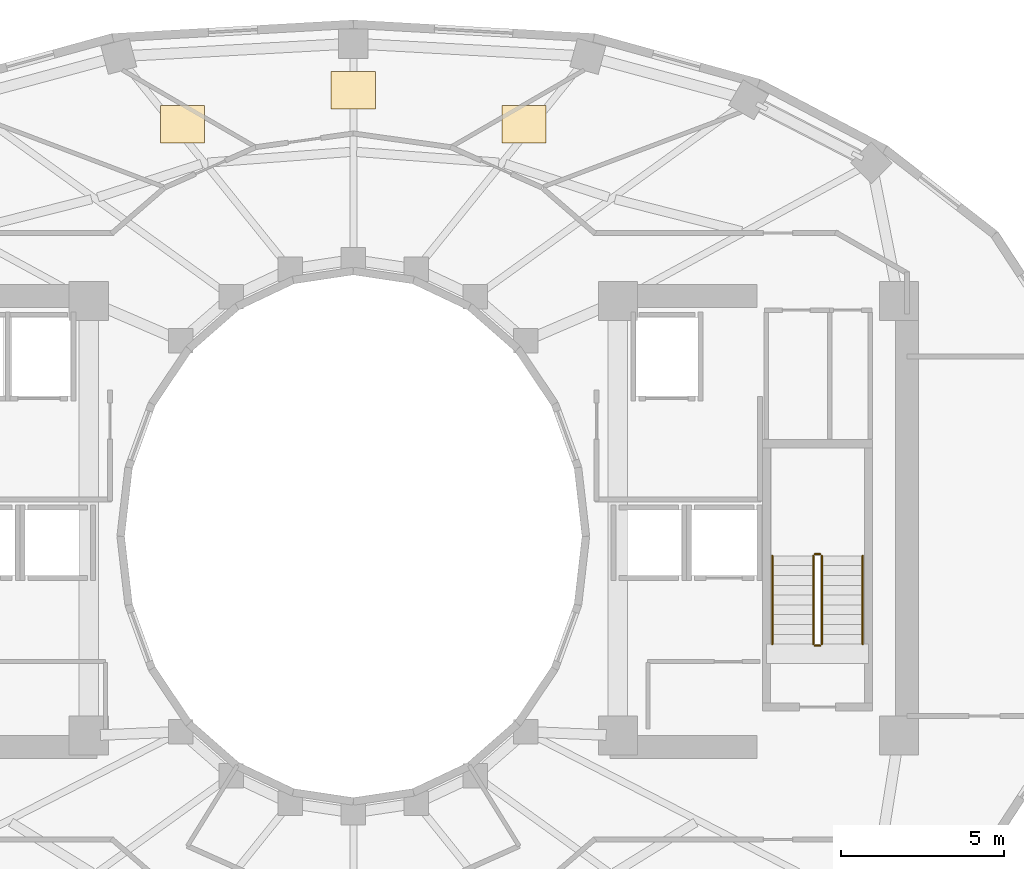
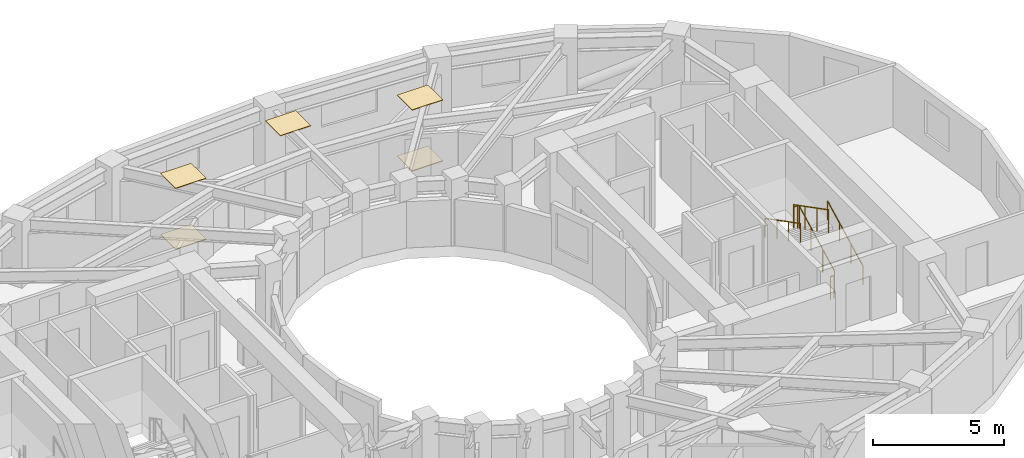
# One storey, part 9 of 9: 6 railings, 5 coverings.
"""IFC4 building model written with IfcOpenShell, lengths in metres."""

from ifc_helpers import new_model, si_unit, direction, frame, origin, origin_2d, place, context, subcontext, project, spatial, polyline, circle, outline, extrude, material, layer, layer_set, type_object, element, save


model = new_model("IFC4")

# Units and contexts
model_context = context("Model", 3, precision=1e-05, world=origin(), true_north=direction((0.0, 1.0)))
body_context = subcontext(model_context, "Body", "Model", "MODEL_VIEW")
ifc_project = project(units=[si_unit("LENGTHUNIT", "METRE"), si_unit("AREAUNIT", "SQUARE_METRE"), si_unit("VOLUMEUNIT", "CUBIC_METRE"), si_unit("PLANEANGLEUNIT", "RADIAN"), si_unit("MASSUNIT", "GRAM", prefix="KILO")], contexts=[model_context])

# Site, building, storey
site_placement = place(None, origin())
site = spatial("IfcSite", under=ifc_project, at=site_placement, CompositionType="ELEMENT")
building_placement = place(site_placement, origin())
building = spatial("IfcBuilding", under=site, at=building_placement, Name="Solvane Sanctuary Tower", CompositionType="ELEMENT")
storey_placement = place(building_placement, frame((0.0, 0.0, 162.199951171875)))
storey = spatial("IfcBuildingStorey", under=building, at=storey_placement, Name="L49", CompositionType="ELEMENT", Elevation=162.199951171875)

# Coverings
ifc_material_1 = material(Name="Acoustic Gypsum Partition Board")
ifc_layer_1 = layer(ifc_material_1, 0.02490234375, Name="Acoustic Gypsum Partition Board")
ifc_layer_set_1 = layer_set([ifc_layer_1], Name="Acoustic Gypsum Partition Board")
covering_type_1 = type_object("IfcCoveringType", Name="Covering CLG-ACOUST", PredefinedType="CEILING", material=ifc_layer_set_1)
covering_1_placement = place(storey_placement, frame((0.0, 0.0, 2.85009765625)))
element("IfcCovering", 1, at=covering_1_placement, inside=storey, type_object=covering_type_1, Name="L49 Unit Acoustic Ceiling Panel 1", PredefinedType="CEILING", context=body_context, shape_type="SweptSolid", body=[
    extrude(outline(polyline([(36.549072265625, 35.035888671875), (37.89892578125, 35.035888671875), (37.89892578125, 36.18603515625), (36.549072265625, 36.18603515625), (36.549072265625, 35.035888671875)])), origin(), (0.0, 0.0, 1.0), 0.030029296875),
])
covering_2_placement = place(storey_placement, frame((0.0, 0.0, 2.85009765625)))
element("IfcCovering", 2, at=covering_2_placement, inside=storey, type_object=covering_type_1, Name="L49 Unit Acoustic Ceiling Panel 2", PredefinedType="CEILING", context=body_context, shape_type="SweptSolid", body=[
    extrude(outline(polyline([(31.324951171875, 36.074951171875), (32.675048828125, 36.074951171875), (32.675048828125, 37.22509765625), (31.324951171875, 37.22509765625), (31.324951171875, 36.074951171875)])), origin(), (0.0, 0.0, 1.0), 0.030029296875),
])
covering_3_placement = place(storey_placement, frame((0.0, 0.0, 2.85009765625)))
element("IfcCovering", 3, at=covering_3_placement, inside=storey, type_object=covering_type_1, Name="L49 Unit Acoustic Ceiling Panel 3", PredefinedType="CEILING", context=body_context, shape_type="SweptSolid", body=[
    extrude(outline(polyline([(26.10107421875, 35.035888671875), (27.450927734375, 35.035888671875), (27.450927734375, 36.18603515625), (26.10107421875, 36.18603515625), (26.10107421875, 35.035888671875)])), origin(), (0.0, 0.0, 1.0), 0.030029296875),
])
ifc_material_2 = material(Name="Ceramic Tile Finish")
ifc_layer_2 = layer(ifc_material_2, 0.030029296875, Name="Ceramic Tile Finish")
ifc_layer_set_2 = layer_set([ifc_layer_2], Name="Ceramic Tile Finish")
covering_type_2 = type_object("IfcCoveringType", Name="Covering FLR-TERRAZZO", PredefinedType="FLOORING", material=ifc_layer_set_2)
covering_4_placement = place(storey_placement, origin())
element("IfcCovering", 4, at=covering_4_placement, inside=storey, type_object=covering_type_2, Name="L49 Unit Terrazzo Inlay 1", PredefinedType="FLOORING", context=body_context, shape_type="SweptSolid", body=[
    extrude(outline(polyline([(36.549072265625, 35.035888671875), (37.89892578125, 35.035888671875), (37.89892578125, 36.18603515625), (36.549072265625, 36.18603515625), (36.549072265625, 35.035888671875)])), origin(), (0.0, 0.0, 1.0), 0.03515625),
])
covering_5_placement = place(storey_placement, origin())
element("IfcCovering", 5, at=covering_5_placement, inside=storey, type_object=covering_type_2, Name="L49 Unit Terrazzo Inlay 3", PredefinedType="FLOORING", context=body_context, shape_type="SweptSolid", body=[
    extrude(outline(polyline([(26.10107421875, 35.035888671875), (27.450927734375, 35.035888671875), (27.450927734375, 36.18603515625), (26.10107421875, 36.18603515625), (26.10107421875, 35.035888671875)])), origin(), (0.0, 0.0, 1.0), 0.03515625),
])

# Railings
ifc_material_3 = material(Name="Architectural Stainless Steel 316", Category="steel")
railing_type_1 = type_object("IfcRailingType", Name="Railing GR-BALC-1150", PredefinedType="BALUSTRADE", material=ifc_material_3)
railing_1_placement = place(storey_placement, frame((46.340087890625, 19.699951171875, 0.155029296875)))
element("IfcRailing", 6, at=railing_1_placement, inside=storey, type_object=railing_type_1, Name="L49 ST-2 stair guard 1", PredefinedType="BALUSTRADE", context=body_context, shape_type="SweptSolid", body=[
    extrude(circle(Radius=0.02392578125, at=origin_2d()), frame((0.0, 0.0, 1.076171875), z_axis=(0.0, 0.888419900624, 0.459031676658), x_axis=(-1.0, 0.0, 0.0)), (0.0, 0.0, 1.0), 3.0390625),
    extrude(circle(Radius=0.02099609375, at=origin_2d()), origin(), (0.0, 0.0, 1.0), 1.052001953125),
    extrude(circle(Radius=0.02099609375, at=origin_2d()), frame((0.0, 0.89990234375, 0.465087890625)), (0.0, 0.0, 1.0), 1.052001953125),
    extrude(circle(Radius=0.02099609375, at=origin_2d()), frame((0.0, 1.800048828125, 0.929931640625)), (0.0, 0.0, 1.0), 1.052001953125),
    extrude(circle(Radius=0.02099609375, at=origin_2d()), frame((0.0, 2.699951171875, 1.39501953125)), (0.0, 0.0, 1.0), 1.052001953125),
])
railing_2_placement = place(storey_placement, frame((46.2900390625, 22.449951171875, 1.550048828125)))
element("IfcRailing", 7, at=railing_2_placement, inside=storey, type_object=railing_type_1, Name="L49 ST-2 stair guard 2", PredefinedType="BALUSTRADE", context=body_context, shape_type="SweptSolid", body=[
    extrude(circle(Radius=0.02392578125, at=origin_2d()), frame((0.0, 0.0, 1.076171875), z_axis=(-1.0, 0.0, 0.0), x_axis=(0.0, -1.0, 0.0)), (0.0, 0.0, 1.0), 0.16015625),
    extrude(circle(Radius=0.02099609375, at=origin_2d()), origin(), (0.0, 0.0, 1.0), 1.052001953125),
    extrude(circle(Radius=0.02099609375, at=origin_2d()), frame((-0.16015625, 0.0, 0.0)), (0.0, 0.0, 1.0), 1.052001953125),
])
railing_3_placement = place(storey_placement, frame((46.080078125, 22.39990234375, 1.705078125)))
element("IfcRailing", 8, at=railing_3_placement, inside=storey, type_object=railing_type_1, Name="L49 ST-2 stair guard 3", PredefinedType="BALUSTRADE", context=body_context, shape_type="SweptSolid", body=[
    extrude(circle(Radius=0.02392578125, at=origin_2d()), frame((0.0, 0.0, 1.076171875), z_axis=(0.0, -0.888419900624, 0.459031676658), x_axis=(1.0, 0.0, 0.0)), (0.0, 0.0, 1.0), 3.0390625),
    extrude(circle(Radius=0.02099609375, at=origin_2d()), origin(), (0.0, 0.0, 1.0), 1.052001953125),
    extrude(circle(Radius=0.02099609375, at=origin_2d()), frame((0.0, -0.89990234375, 0.465087890625)), (0.0, 0.0, 1.0), 1.052001953125),
    extrude(circle(Radius=0.02099609375, at=origin_2d()), frame((0.0, -1.800048828125, 0.929931640625)), (0.0, 0.0, 1.0), 1.052001953125),
    extrude(circle(Radius=0.02099609375, at=origin_2d()), frame((0.0, -2.699951171875, 1.39501953125)), (0.0, 0.0, 1.0), 1.052001953125),
])
railing_4_placement = place(storey_placement, frame((46.2900390625, 19.64990234375, 0.0)))
element("IfcRailing", 9, at=railing_4_placement, inside=storey, type_object=railing_type_1, Name="L49 ST-2 stair guard 4", PredefinedType="BALUSTRADE", context=body_context, shape_type="SweptSolid", body=[
    extrude(circle(Radius=0.02392578125, at=origin_2d()), frame((0.0, 0.0, 1.076171875), z_axis=(-1.0, 0.0, 0.0), x_axis=(0.0, -1.0, 0.0)), (0.0, 0.0, 1.0), 0.16015625),
    extrude(circle(Radius=0.02099609375, at=origin_2d()), origin(), (0.0, 0.0, 1.0), 1.052001953125),
    extrude(circle(Radius=0.02099609375, at=origin_2d()), frame((-0.16015625, 0.0, 0.0)), (0.0, 0.0, 1.0), 1.052001953125),
])
railing_type_2 = type_object("IfcRailingType", Name="Railing HR-STAIR-920", PredefinedType="HANDRAIL", material=ifc_material_3)
railing_5_placement = place(storey_placement, frame((47.590087890625, 19.699951171875, 0.155029296875)))
element("IfcRailing", 10, at=railing_5_placement, inside=storey, type_object=railing_type_2, Name="L49 ST-2 stair handrail 1", PredefinedType="HANDRAIL", context=body_context, shape_type="SweptSolid", body=[
    extrude(circle(Radius=0.02392578125, at=origin_2d()), frame((0.0, 0.0, 0.8759765625), z_axis=(0.0, 0.888419900624, 0.459031676658), x_axis=(-1.0, 0.0, 0.0)), (0.0, 0.0, 1.0), 3.0390625),
    extrude(circle(Radius=0.02099609375, at=origin_2d()), origin(), (0.0, 0.0, 1.0), 0.851806640625),
    extrude(circle(Radius=0.02099609375, at=origin_2d()), frame((0.0, 0.89990234375, 0.465087890625)), (0.0, 0.0, 1.0), 0.851806640625),
    extrude(circle(Radius=0.02099609375, at=origin_2d()), frame((0.0, 1.800048828125, 0.929931640625)), (0.0, 0.0, 1.0), 0.851806640625),
    extrude(circle(Radius=0.02099609375, at=origin_2d()), frame((0.0, 2.699951171875, 1.39501953125)), (0.0, 0.0, 1.0), 0.851806640625),
])
railing_6_placement = place(storey_placement, frame((44.830078125, 22.39990234375, 1.705078125)))
element("IfcRailing", 11, at=railing_6_placement, inside=storey, type_object=railing_type_2, Name="L49 ST-2 stair handrail 2", PredefinedType="HANDRAIL", context=body_context, shape_type="SweptSolid", body=[
    extrude(circle(Radius=0.02392578125, at=origin_2d()), frame((0.0, 0.0, 0.8759765625), z_axis=(0.0, -0.888419900624, 0.459031676658), x_axis=(1.0, 0.0, 0.0)), (0.0, 0.0, 1.0), 3.0390625),
    extrude(circle(Radius=0.02099609375, at=origin_2d()), origin(), (0.0, 0.0, 1.0), 0.851806640625),
    extrude(circle(Radius=0.02099609375, at=origin_2d()), frame((0.0, -0.89990234375, 0.465087890625)), (0.0, 0.0, 1.0), 0.851806640625),
    extrude(circle(Radius=0.02099609375, at=origin_2d()), frame((0.0, -1.800048828125, 0.929931640625)), (0.0, 0.0, 1.0), 0.851806640625),
    extrude(circle(Radius=0.02099609375, at=origin_2d()), frame((0.0, -2.699951171875, 1.39501953125)), (0.0, 0.0, 1.0), 0.851806640625),
])

save(model, "model.ifc")
